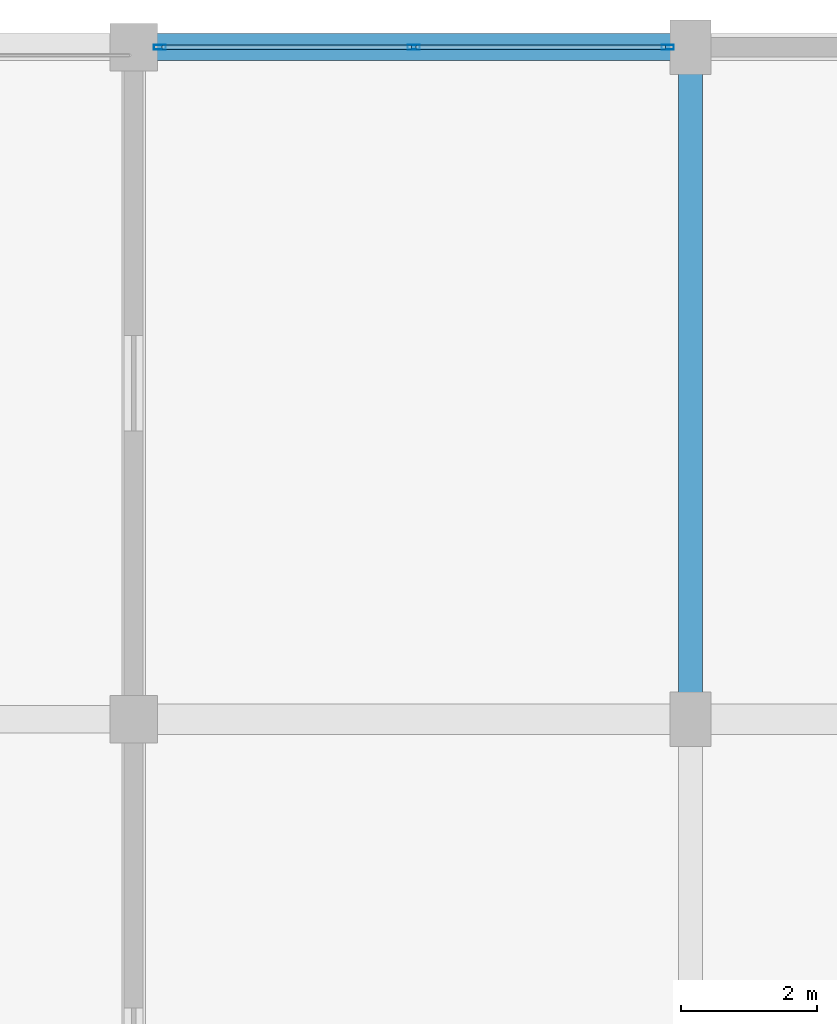
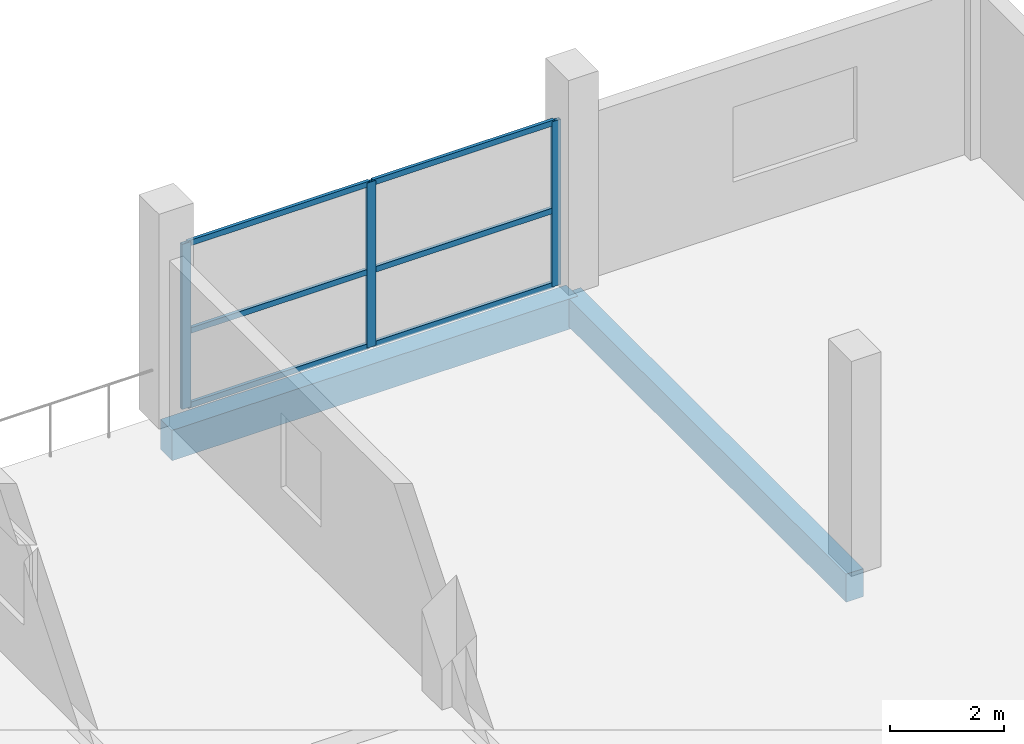
# One storey, part 35 of 55: 9 members, 2 beams, 1 element without a shape of its own.
"""IFC4 building model written with IfcOpenShell, lengths in metres."""

from ifc_helpers import new_model, si_unit, direction, frame, origin, origin_2d, place, context, subcontext, project, spatial, rectangle, hollow_rectangle, extrude, material, layer, layer_set, material_profile, profile_set, type_object, element, aggregate, save


model = new_model("IFC4")

# Units and contexts
model_context = context("Model", 3, precision=1e-05, world=origin(), true_north=direction((0.0, 1.0)))
body_context = subcontext(model_context, "Body", "Model", "MODEL_VIEW")
ifc_project = project(units=[si_unit("LENGTHUNIT", "METRE"), si_unit("AREAUNIT", "SQUARE_METRE"), si_unit("VOLUMEUNIT", "CUBIC_METRE"), si_unit("PLANEANGLEUNIT", "RADIAN"), si_unit("MASSUNIT", "GRAM", prefix="KILO")], contexts=[model_context])

# Site, building, storey
site_placement = place(None, origin())
site = spatial("IfcSite", under=ifc_project, at=site_placement, CompositionType="ELEMENT")
building_placement = place(site_placement, origin())
building = spatial("IfcBuilding", under=site, at=building_placement, Name="Sillaruma Civic Art Gallery", CompositionType="ELEMENT")
storey_placement = place(building_placement, frame((0.0, 0.0, 37.739990234375)))
storey = spatial("IfcBuildingStorey", under=building, at=storey_placement, Name="L07", CompositionType="ELEMENT", Elevation=37.739990234375)

# Beams
ifc_material_1 = material(Name="Concrete H35 (35 MPa)", Category="concrete")
ifc_material_profile_1 = material_profile(ifc_material_1, rectangle(XDim=0.35009765625, YDim=0.60009765625, at=origin_2d()), Name="RCB350x600")
ifc_profile_set_1 = profile_set([ifc_material_profile_1], Name="Concrete H35 (35 MPa)")
beam_type_1 = type_object("IfcBeamType", Name="BM-BEAM-RCB350x600", PredefinedType="BEAM", material=ifc_profile_set_1)
beam_1_placement = place(storey_placement, frame((106.199951171875, 89.10009765625, -0.5400390625), z_axis=(0.0, 1.0, 0.0), x_axis=(-1.0, 0.0, 0.0)))
element("IfcBeam", 1, at=beam_1_placement, inside=storey, type_object=beam_type_1, Name="Beam BM-06 (L06:M:10-11)", PredefinedType="BEAM", context=body_context, shape_type="SweptSolid", body=[
    extrude(rectangle(XDim=0.35009765625, YDim=0.60009765625, at=origin_2d()), origin(), (0.0, 0.0, 1.0), 9.89990234375),
])
ifc_material_profile_2 = material_profile(ifc_material_1, rectangle(XDim=0.39990234375, YDim=0.64990234375, at=origin_2d()), Name="RCB400x650")
ifc_profile_set_2 = profile_set([ifc_material_profile_2], Name="Concrete H35 (35 MPa)")
beam_type_2 = type_object("IfcBeamType", Name="BM-SPANDREL-RCB400x650", PredefinedType="SPANDREL", material=ifc_profile_set_2)
beam_2_placement = place(storey_placement, frame((98.0, 99.0, -0.56494140625), z_axis=(1.0, 0.0, 0.0), x_axis=(0.0, 1.0, 0.0)))
element("IfcBeam", 2, at=beam_2_placement, inside=storey, type_object=beam_type_2, Name="Beam BS-02 (L06:11:L-M)", PredefinedType="SPANDREL", context=body_context, shape_type="SweptSolid", body=[
    extrude(rectangle(XDim=0.39990234375, YDim=0.64990234375, at=origin_2d()), origin(), (0.0, 0.0, 1.0), 8.199951171875),
])

# Curtain wall, members
ifc_material_2 = material(Name="Thermally Broken Extruded Aluminium 6063-T6", Category="aluminium")
ifc_layer = layer(ifc_material_2, 0.179931640625, Name="Thermally Broken Extruded Aluminium 6063-T6")
ifc_layer_set = layer_set([ifc_layer], Name="Thermally Broken Extruded Aluminium 6063-T6")
curtain_wall_type = type_object("IfcCurtainWallType", Name="CW-UNI-52", PredefinedType="NOTDEFINED", material=ifc_layer_set)
curtain_wall_placement = place(storey_placement, origin())
curtain_wall = element("IfcCurtainWall", 3, at=curtain_wall_placement, inside=storey, type_object=curtain_wall_type, Name="Unitised Curtain Wall CW-52 (CW-L07-N-6)", PredefinedType="NOTDEFINED")
ifc_material_profile_3 = material_profile(ifc_material_2, hollow_rectangle(XDim=0.070068359375, YDim=0.179931640625, WallThickness=0.00390625, at=origin_2d()), Name="CWM70x180")
ifc_profile_set_3 = profile_set([ifc_material_profile_3], Name="Thermally Broken Extruded Aluminium 6063-T6")
member_type_1 = type_object("IfcMemberType", Name="MEM-MUL-CWM70x180", PredefinedType="MULLION", material=ifc_profile_set_3)
member_1_placement = place(storey_placement, frame((98.385009765625, 99.0, 0.0), z_axis=(0.0, 0.0, 1.0), x_axis=(0.0, 1.0, 0.0)))
member_1 = element("IfcMember", 4, at=member_1_placement, type_object=member_type_1, Name="CW-52 mullion 1", PredefinedType="MULLION", context=body_context, shape_type="SweptSolid", body=[
    extrude(hollow_rectangle(XDim=0.070068359375, YDim=0.179931640625, WallThickness=0.00390625, at=origin_2d()), origin(), (0.0, 0.0, 1.0), 3.530029296875),
])
member_2_placement = place(storey_placement, frame((102.125, 99.0, 0.0), z_axis=(0.0, 0.0, 1.0), x_axis=(0.0, 1.0, 0.0)))
member_2 = element("IfcMember", 5, at=member_2_placement, type_object=member_type_1, Name="CW-52 mullion 2", PredefinedType="MULLION", context=body_context, shape_type="SweptSolid", body=[
    extrude(hollow_rectangle(XDim=0.070068359375, YDim=0.179931640625, WallThickness=0.00390625, at=origin_2d()), origin(), (0.0, 0.0, 1.0), 3.530029296875),
])
member_3_placement = place(storey_placement, frame((105.864990234375, 99.0, 0.0), z_axis=(0.0, 0.0, 1.0), x_axis=(0.0, 1.0, 0.0)))
member_3 = element("IfcMember", 6, at=member_3_placement, type_object=member_type_1, Name="CW-52 mullion 3", PredefinedType="MULLION", context=body_context, shape_type="SweptSolid", body=[
    extrude(hollow_rectangle(XDim=0.070068359375, YDim=0.179931640625, WallThickness=0.00390625, at=origin_2d()), origin(), (0.0, 0.0, 1.0), 3.530029296875),
])
ifc_material_profile_4 = material_profile(ifc_material_2, hollow_rectangle(XDim=0.06494140625, YDim=0.1201171875, WallThickness=0.00341796875, at=origin_2d()), Name="CWT65x120")
ifc_profile_set_4 = profile_set([ifc_material_profile_4], Name="Thermally Broken Extruded Aluminium 6063-T6")
member_type_2 = type_object("IfcMemberType", Name="MEM-TRN-CWT65x120", PredefinedType="USERDEFINED", material=ifc_profile_set_4)
member_4_placement = place(storey_placement, frame((98.419921875, 99.0, 0.032470703125), z_axis=(1.0, 0.0, 0.0), x_axis=(0.0, 1.0, 0.0)))
member_4 = element("IfcMember", 7, at=member_4_placement, type_object=member_type_2, Name="CW-52 transom 1.1", ObjectType="TRANSOM", PredefinedType="USERDEFINED", context=body_context, shape_type="SweptSolid", body=[
    extrude(hollow_rectangle(XDim=0.06494140625, YDim=0.1201171875, WallThickness=0.00341796875, at=origin_2d()), origin(), (0.0, 0.0, 1.0), 3.670166015625),
])
member_5_placement = place(storey_placement, frame((98.419921875, 99.0, 1.623779296875), z_axis=(1.0, 0.0, 0.0), x_axis=(0.0, 1.0, 0.0)))
member_5 = element("IfcMember", 8, at=member_5_placement, type_object=member_type_2, Name="CW-52 transom 1.2", ObjectType="TRANSOM", PredefinedType="USERDEFINED", context=body_context, shape_type="SweptSolid", body=[
    extrude(hollow_rectangle(XDim=0.06494140625, YDim=0.1201171875, WallThickness=0.00341796875, at=origin_2d()), origin(), (0.0, 0.0, 1.0), 3.670166015625),
])
member_6_placement = place(storey_placement, frame((98.419921875, 99.0, 3.49755859375), z_axis=(1.0, 0.0, 0.0), x_axis=(0.0, 1.0, 0.0)))
member_6 = element("IfcMember", 9, at=member_6_placement, type_object=member_type_2, Name="CW-52 transom 1.3", ObjectType="TRANSOM", PredefinedType="USERDEFINED", context=body_context, shape_type="SweptSolid", body=[
    extrude(hollow_rectangle(XDim=0.06494140625, YDim=0.1201171875, WallThickness=0.00341796875, at=origin_2d()), origin(), (0.0, 0.0, 1.0), 3.670166015625),
])
member_7_placement = place(storey_placement, frame((102.159912109375, 99.0, 0.032470703125), z_axis=(1.0, 0.0, 0.0), x_axis=(0.0, 1.0, 0.0)))
member_7 = element("IfcMember", 10, at=member_7_placement, type_object=member_type_2, Name="CW-52 transom 2.1", ObjectType="TRANSOM", PredefinedType="USERDEFINED", context=body_context, shape_type="SweptSolid", body=[
    extrude(hollow_rectangle(XDim=0.06494140625, YDim=0.1201171875, WallThickness=0.00341796875, at=origin_2d()), origin(), (0.0, 0.0, 1.0), 3.670166015625),
])
member_8_placement = place(storey_placement, frame((102.159912109375, 99.0, 1.623779296875), z_axis=(1.0, 0.0, 0.0), x_axis=(0.0, 1.0, 0.0)))
member_8 = element("IfcMember", 11, at=member_8_placement, type_object=member_type_2, Name="CW-52 transom 2.2", ObjectType="TRANSOM", PredefinedType="USERDEFINED", context=body_context, shape_type="SweptSolid", body=[
    extrude(hollow_rectangle(XDim=0.06494140625, YDim=0.1201171875, WallThickness=0.00341796875, at=origin_2d()), origin(), (0.0, 0.0, 1.0), 3.670166015625),
])
member_9_placement = place(storey_placement, frame((102.159912109375, 99.0, 3.49755859375), z_axis=(1.0, 0.0, 0.0), x_axis=(0.0, 1.0, 0.0)))
member_9 = element("IfcMember", 12, at=member_9_placement, type_object=member_type_2, Name="CW-52 transom 2.3", ObjectType="TRANSOM", PredefinedType="USERDEFINED", context=body_context, shape_type="SweptSolid", body=[
    extrude(hollow_rectangle(XDim=0.06494140625, YDim=0.1201171875, WallThickness=0.00341796875, at=origin_2d()), origin(), (0.0, 0.0, 1.0), 3.670166015625),
])
aggregate(curtain_wall, [member_1, member_2, member_3, member_4, member_5, member_6, member_7, member_8, member_9])

save(model, "model.ifc")
